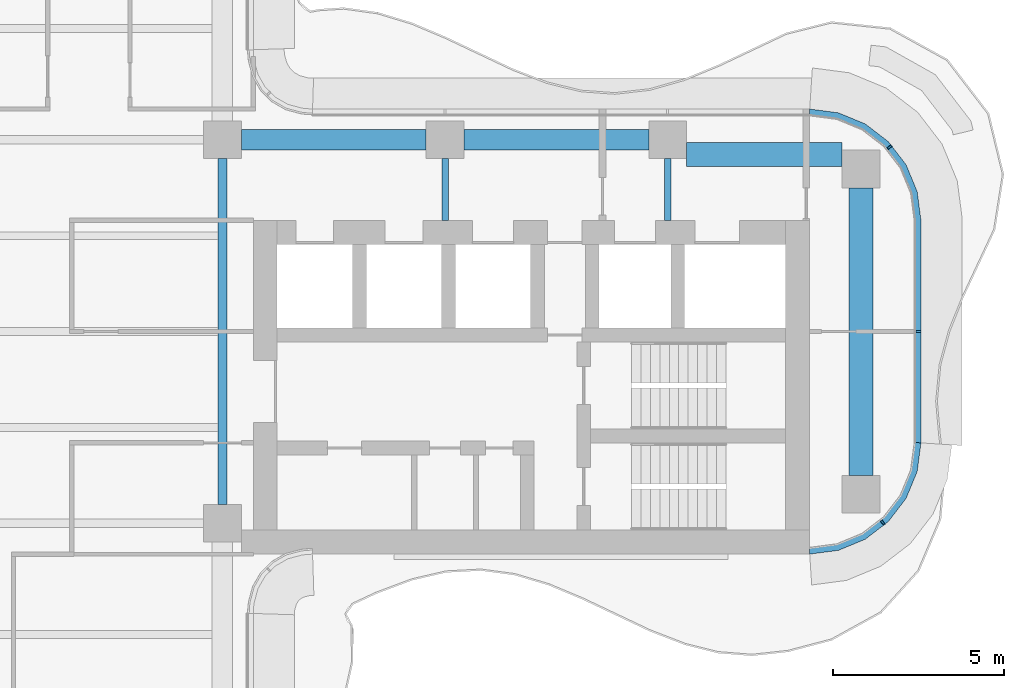
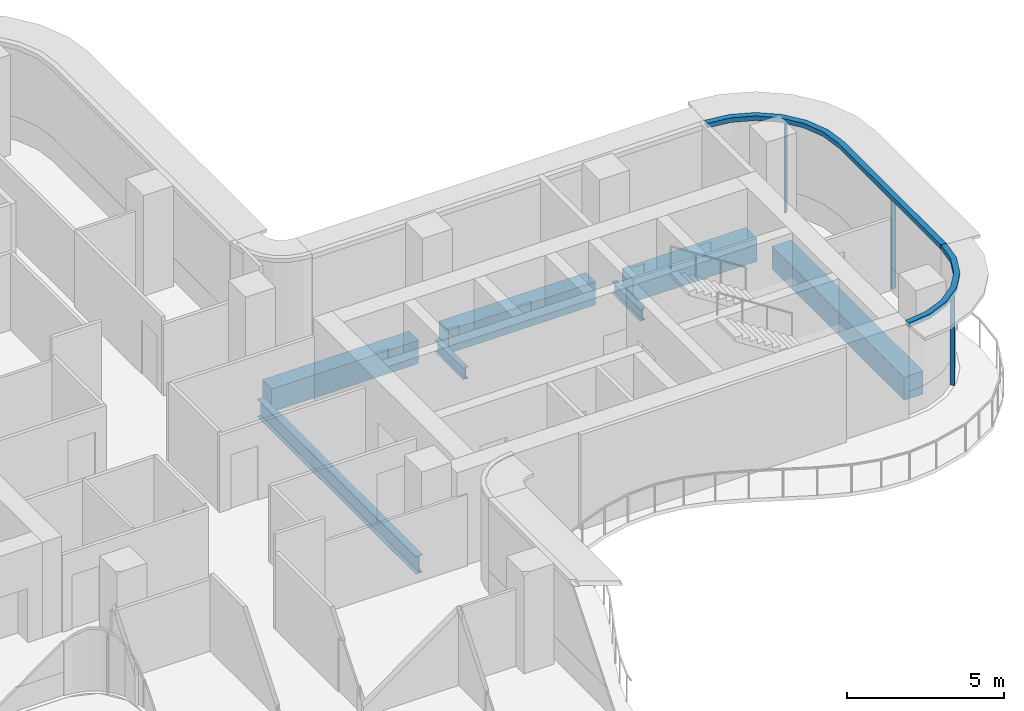
# One storey, part 6 of 17: 7 beams, 5 members, 2 elements without a shape of their own.
"""IFC4 building model written with IfcOpenShell, lengths in metres."""

from ifc_helpers import new_model, si_unit, direction, frame, origin, origin_2d, place, context, subcontext, project, spatial, polyline, rectangle, i_section, outline, extrude, source, transform, mapped, material, layer, layer_set, material_profile, profile_set, type_object, element, aggregate, save


model = new_model("IFC4")

# Units and contexts
model_context = context("Model", 3, precision=1e-05, world=origin(), true_north=direction((0.0, 1.0)))
body_context = subcontext(model_context, "Body", "Model", "MODEL_VIEW")
ifc_project = project(units=[si_unit("LENGTHUNIT", "METRE"), si_unit("AREAUNIT", "SQUARE_METRE"), si_unit("VOLUMEUNIT", "CUBIC_METRE"), si_unit("PLANEANGLEUNIT", "RADIAN"), si_unit("MASSUNIT", "GRAM", prefix="KILO")], contexts=[model_context])

# Site, building, storey
site_placement = place(None, origin())
site = spatial("IfcSite", under=ifc_project, at=site_placement, CompositionType="ELEMENT")
building_placement = place(site_placement, origin())
building = spatial("IfcBuilding", under=site, at=building_placement, Name="Trellis Farm Tower", CompositionType="ELEMENT")
storey_placement = place(building_placement, frame((0.0, 0.0, 240.199951171875)))
storey = spatial("IfcBuildingStorey", under=building, at=storey_placement, Name="L53", CompositionType="ELEMENT", Elevation=240.199951171875)

# Beams
ifc_material_1 = material(Name="Steel S355", Category="steel")
ifc_material_profile_1 = material_profile(ifc_material_1, i_section(OverallWidth=0.253662109375, OverallDepth=0.68359375, WebThickness=0.012451171875, FlangeThickness=0.021728515625, FilletRadius=0.01513671875, at=origin_2d()), Name="UB 686x254x140")
ifc_profile_set_1 = profile_set([ifc_material_profile_1], Name="Steel S355")
beam_type_1 = type_object("IfcBeamType", Name="UB 686x254x140", PredefinedType="BEAM", material=ifc_profile_set_1)
shared_shape_1 = source(origin(), body_context, "Body", "SweptSolid", [
    extrude(i_section(OverallWidth=0.253662109375, OverallDepth=0.68359375, WebThickness=0.012451171875, FlangeThickness=0.021728515625, FilletRadius=0.01513671875, at=origin_2d()), origin(), (0.0, 0.0, 1.0), 10.10009765625),
])
beam_1_placement = place(storey_placement, frame((5.60009765625, -5.050048828125, -0.541748046875), z_axis=(0.0, 1.0, 0.0), x_axis=(-1.0, 0.0, 0.0)))
element("IfcBeam", 1, at=beam_1_placement, inside=storey, type_object=beam_type_1, Name="Girder", PredefinedType="BEAM", context=body_context, shape_type="MappedRepresentation", body=[
    mapped(shared_shape_1, transform((0.0, 0.0, 0.0))),
])
ifc_material_profile_2 = material_profile(ifc_material_1, i_section(OverallWidth=0.1904296875, OverallDepth=0.45703125, WebThickness=0.009033203125, FlangeThickness=0.014404296875, FilletRadius=0.01025390625, at=origin_2d()), Name="UB 457x191x74")
ifc_profile_set_2 = profile_set([ifc_material_profile_2], Name="Steel S355")
beam_type_2 = type_object("IfcBeamType", Name="UB 457x191x74", PredefinedType="BEAM", material=ifc_profile_set_2)
shared_shape_2 = source(origin(), body_context, "Body", "SweptSolid", [
    extrude(i_section(OverallWidth=0.1904296875, OverallDepth=0.45703125, WebThickness=0.009033203125, FlangeThickness=0.014404296875, FilletRadius=0.01025390625, at=origin_2d()), origin(), (0.0, 0.0, 1.0), 1.800048828125),
])
for number, where, z_axis, x_axis, name in (
    (2, (12.10009765625, 3.25, -0.428466796875), (0.0, 1.0, 0.0), (-1.0, 0.0, 0.0), "Girder"),
    (3, (18.60009765625, 3.25, -0.428466796875), (0.0, 1.0, 0.0), (-1.0, 0.0, 0.0), "Girder"),
):
    element("IfcBeam", number, at=place(storey_placement, frame(where, z_axis=z_axis, x_axis=x_axis)), inside=storey, type_object=beam_type_2, Name=name, PredefinedType="BEAM", context=body_context, shape_type="MappedRepresentation", body=[
        mapped(shared_shape_2, transform((0.0, 0.0, 0.0))),
    ])
ifc_material_2 = material(Name="Concrete C60/75", Category="concrete")
ifc_material_profile_3 = material_profile(ifc_material_2, rectangle(XDim=0.60009765625, YDim=0.89990234375, at=origin_2d()), Name="RC spandrel beam 600x900 C60/75")
ifc_profile_set_3 = profile_set([ifc_material_profile_3], Name="Concrete C60/75")
beam_type_3 = type_object("IfcBeamType", Name="RC spandrel beam 600x900 C60/75", PredefinedType="SPANDREL", material=ifc_profile_set_3)
shared_shape_3 = source(origin(), body_context, "Body", "SweptSolid", [
    extrude(rectangle(XDim=0.60009765625, YDim=0.89990234375, at=origin_2d()), origin(), (0.0, 0.0, 1.0), 5.400146484375),
])
for number, where, z_axis, x_axis, name in (
    (4, (6.14990234375, 5.60009765625, -0.64990234375), (1.0, 0.0, 0.0), (0.0, 1.0, 0.0), "Girder"),
    (5, (12.64990234375, 5.60009765625, -0.64990234375), (1.0, 0.0, 0.0), (0.0, 1.0, 0.0), "Girder"),
):
    element("IfcBeam", number, at=place(storey_placement, frame(where, z_axis=z_axis, x_axis=x_axis)), inside=storey, type_object=beam_type_3, Name=name, PredefinedType="SPANDREL", context=body_context, shape_type="MappedRepresentation", body=[
        mapped(shared_shape_3, transform((0.0, 0.0, 0.0))),
    ])
ifc_material_profile_4 = material_profile(ifc_material_2, rectangle(XDim=0.699951171875, YDim=0.89990234375, at=origin_2d()), Name="RC spandrel beam 700x900 C60/75")
ifc_profile_set_4 = profile_set([ifc_material_profile_4], Name="Concrete C60/75")
beam_type_4 = type_object("IfcBeamType", Name="RC spandrel beam 700x900 C60/75", PredefinedType="SPANDREL", material=ifc_profile_set_4)
shared_shape_4 = source(origin(), body_context, "Body", "SweptSolid", [
    extrude(rectangle(XDim=0.699951171875, YDim=0.89990234375, at=origin_2d()), origin(), (0.0, 0.0, 1.0), 8.39990234375),
])
beam_2_placement = place(storey_placement, frame((24.25, -4.199951171875, -0.64990234375), z_axis=(0.0, 1.0, 0.0), x_axis=(-1.0, 0.0, 0.0)))
element("IfcBeam", 6, at=beam_2_placement, inside=storey, type_object=beam_type_4, Name="Girder", PredefinedType="SPANDREL", context=body_context, shape_type="MappedRepresentation", body=[
    mapped(shared_shape_4, transform((0.0, 0.0, 0.0))),
])
shared_shape_5 = source(origin(), body_context, "Body", "SweptSolid", [
    extrude(rectangle(XDim=0.699951171875, YDim=0.89990234375, at=origin_2d()), origin(), (0.0, 0.0, 1.0), 4.550048828125),
])
beam_3_placement = place(storey_placement, frame((19.14990234375, 5.175048828125, -0.64990234375), z_axis=(1.0, 0.0, 0.0), x_axis=(0.0, 1.0, 0.0)))
element("IfcBeam", 7, at=beam_3_placement, inside=storey, type_object=beam_type_4, Name="Girder", PredefinedType="SPANDREL", context=body_context, shape_type="MappedRepresentation", body=[
    mapped(shared_shape_5, transform((0.0, 0.0, 0.0))),
])

# Curtain wall, member
ifc_material_3 = material(Name="Aluminium and glass curtain wall", Category="aluminium")
ifc_layer_1 = layer(ifc_material_3, 0.18994140625)
ifc_layer_set_1 = layer_set([ifc_layer_1], Name="RIBBON CURTAIN WALL CW1")
curtain_wall_type = type_object("IfcCurtainWallType", Name="RIBBON CURTAIN WALL CW1", PredefinedType="NOTDEFINED", material=ifc_layer_set_1)
placement_1 = place(storey_placement, origin())
curtain_wall_1 = element("IfcCurtainWall", 8, at=placement_1, inside=storey, type_object=curtain_wall_type, Name="CW1 006", PredefinedType="NOTDEFINED")
ifc_material_4 = material(Name="Aluminium extrusion 6063-T6", Category="aluminium")
ifc_material_profile_5 = material_profile(ifc_material_4, rectangle(XDim=0.06005859375, YDim=0.14990234375, at=origin_2d()), Name="MULLION 60x150")
ifc_profile_set_5 = profile_set([ifc_material_profile_5], Name="Aluminium extrusion 6063-T6")
member_type_1 = type_object("IfcMemberType", Name="CW1 MULLION 60x150", PredefinedType="MULLION", material=ifc_profile_set_5)
shared_shape_6 = source(origin(), body_context, "Body", "SweptSolid", [
    extrude(rectangle(XDim=0.06005859375, YDim=0.14990234375, at=origin_2d()), origin(), (0.0, 0.0, 1.0), 3.52001953125),
])
member_1_placement = place(storey_placement, frame((24.885498046875, -5.578369140625, 0.0), z_axis=(0.0, 0.0, 1.0), x_axis=(0.793353340291, 0.608761429009, 0.0)))
member_1 = element("IfcMember", 9, at=member_1_placement, type_object=member_type_1, Name="MU1 006-01", PredefinedType="MULLION", context=body_context, shape_type="MappedRepresentation", body=[
    mapped(shared_shape_6, transform((0.0, 0.0, 0.0))),
])

# Curtain wall, members
curtain_wall_2 = element("IfcCurtainWall", 10, at=placement_1, inside=storey, type_object=curtain_wall_type, Name="CW1 007", PredefinedType="NOTDEFINED")
member_2_placement = place(storey_placement, frame((25.925048828125, 0.0, 0.0), z_axis=(0.0, 0.0, 1.0), x_axis=(0.0, 1.0, 0.0)))
member_2 = element("IfcMember", 11, at=member_2_placement, type_object=member_type_1, Name="MU1 007-01", PredefinedType="MULLION", context=body_context, shape_type="MappedRepresentation", body=[
    mapped(shared_shape_6, transform((0.0, 0.0, 0.0))),
])
member_3_placement = place(storey_placement, frame((25.078369140625, 5.385498046875, 0.0), z_axis=(0.0, 0.0, 1.0), x_axis=(-0.608761429009, 0.793353340291, 0.0)))
member_3 = element("IfcMember", 12, at=member_3_placement, type_object=member_type_1, Name="MU1 007-02", PredefinedType="MULLION", context=body_context, shape_type="MappedRepresentation", body=[
    mapped(shared_shape_6, transform((0.0, 0.0, 0.0))),
])

# Member
ifc_layer_2 = layer(ifc_material_4, 0.199951171875)
ifc_layer_set_2 = layer_set([ifc_layer_2], Name="Aluminium extrusion 6063-T6")
member_type_2 = type_object("IfcMemberType", Name="CW1 TRANSOM 200x180", PredefinedType="USERDEFINED", material=ifc_layer_set_2)
shared_shape_7 = source(origin(), body_context, "Body", "SweptSolid", [
    extrude(outline(polyline([(22.75, -6.5), (23.591064453125, -6.38916015625), (24.375, -6.064697265625), (25.048095703125, -5.548095703125), (25.564697265625, -4.875), (25.88916015625, -4.091064453125), (26.0, -3.25), (25.800048828125, -3.23681640625), (25.6943359375, -4.0390625), (25.389892578125, -4.774169921875), (24.905517578125, -5.405517578125), (24.274169921875, -5.889892578125), (23.5390625, -6.1943359375), (22.73681640625, -6.300048828125), (22.75, -6.5)])), origin(), (0.0, 0.0, 1.0), 0.179931640625),
])
placement_2 = place(storey_placement, frame((0.0, 0.0, 3.52001953125)))
member_4 = element("IfcMember", 13, at=placement_2, type_object=member_type_2, Name="TR1 006", ObjectType="TRANSOM", PredefinedType="USERDEFINED", context=body_context, shape_type="MappedRepresentation", body=[
    mapped(shared_shape_7, transform((0.0, 0.0, 0.0))),
])

aggregate(curtain_wall_1, [member_1, member_4])

shared_shape_8 = source(origin(), body_context, "Body", "SweptSolid", [
    extrude(outline(polyline([(26.0, -3.25), (26.0, 3.25), (25.88916015625, 4.091064453125), (25.564697265625, 4.875), (25.048095703125, 5.548095703125), (24.375, 6.064697265625), (23.591064453125, 6.38916015625), (22.75, 6.5), (22.73681640625, 6.300048828125), (23.5390625, 6.1943359375), (24.274169921875, 5.889892578125), (24.905517578125, 5.405517578125), (25.389892578125, 4.774169921875), (25.6943359375, 4.0390625), (25.800048828125, 3.23681640625), (25.800048828125, -3.23681640625), (26.0, -3.25)])), origin(), (0.0, 0.0, 1.0), 0.179931640625),
])
member_5 = element("IfcMember", 14, at=placement_2, type_object=member_type_2, Name="TR1 007", ObjectType="TRANSOM", PredefinedType="USERDEFINED", context=body_context, shape_type="MappedRepresentation", body=[
    mapped(shared_shape_8, transform((0.0, 0.0, 0.0))),
])

aggregate(curtain_wall_2, [member_2, member_3, member_5])

save(model, "model.ifc")
